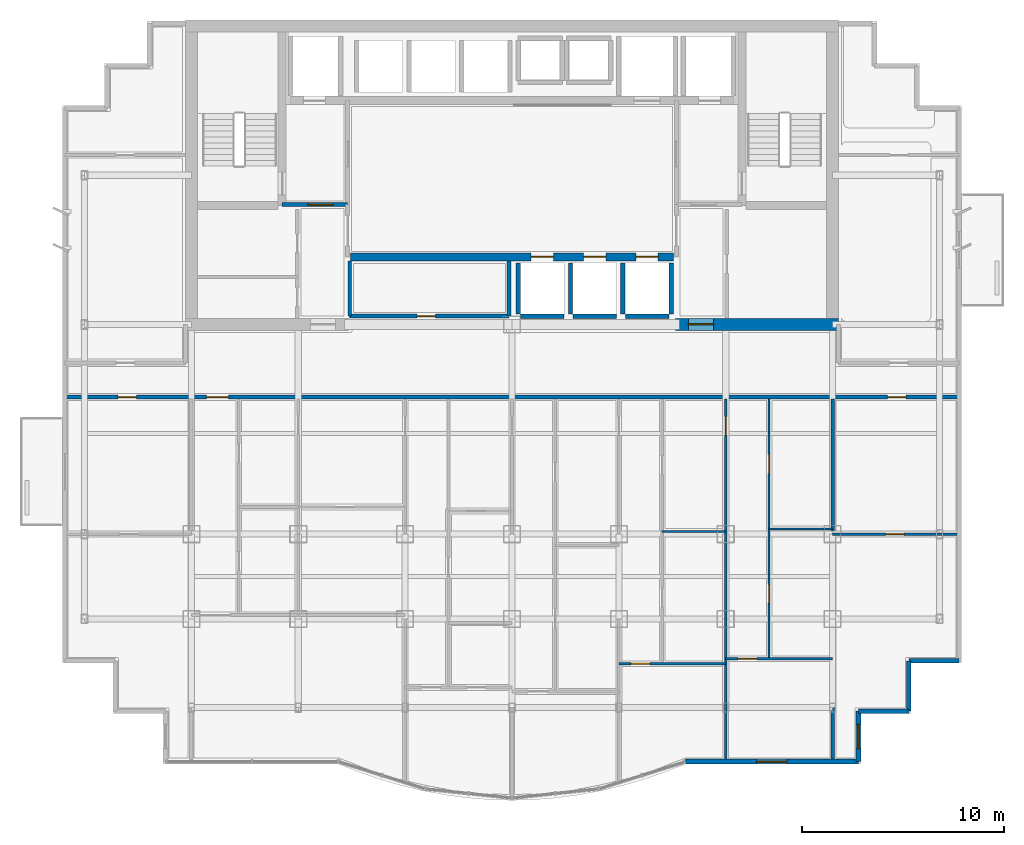
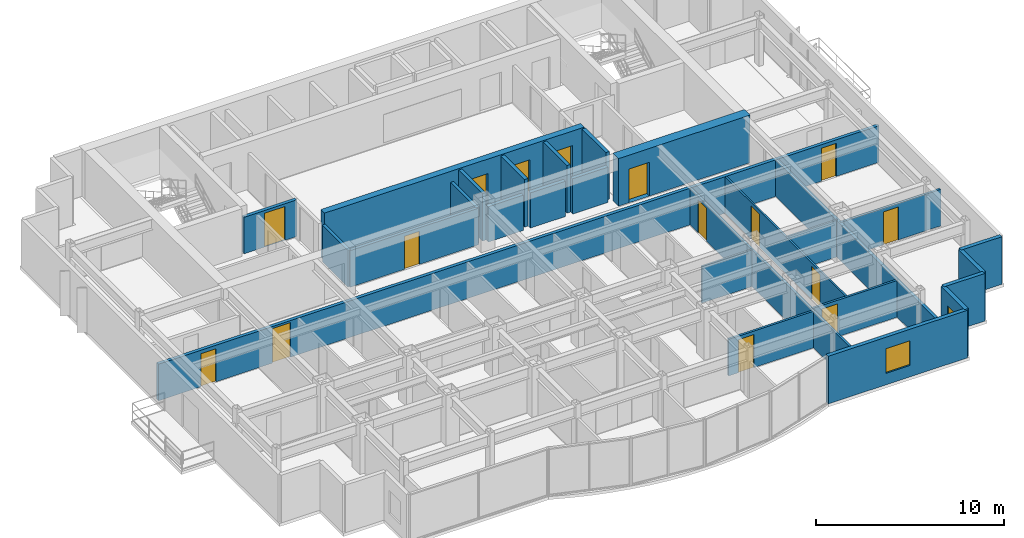
# One storey, part 7 of 11: 27 walls, 15 doors, 2 windows, 17 openings.
"""IFC4 building model written with IfcOpenShell, lengths in metres."""

from ifc_helpers import new_model, si_unit, direction, frame, frame_2d, origin, place, context, subcontext, project, spatial, rectangle, extrude, material, layer, layer_set, type_object, element, fill, save


model = new_model("IFC4")

# Units and contexts
model_context = context("Model", 3, precision=1e-05, world=origin(), true_north=direction((0.0, 1.0)))
body_context = subcontext(model_context, "Body", "Model", "MODEL_VIEW")
ifc_project = project(units=[si_unit("LENGTHUNIT", "METRE"), si_unit("AREAUNIT", "SQUARE_METRE"), si_unit("VOLUMEUNIT", "CUBIC_METRE"), si_unit("PLANEANGLEUNIT", "RADIAN"), si_unit("MASSUNIT", "GRAM", prefix="KILO")], contexts=[model_context])

# Site, building, storey
site_placement = place(None, origin())
site = spatial("IfcSite", under=ifc_project, at=site_placement, CompositionType="ELEMENT")
building_placement = place(site_placement, origin())
building = spatial("IfcBuilding", under=site, at=building_placement, Name="Qianlan Lanfeng Residences", CompositionType="ELEMENT")
storey_placement = place(building_placement, frame((0.0, 0.0, 175.5)))
storey = spatial("IfcBuildingStorey", under=building, at=storey_placement, Name="L48", CompositionType="ELEMENT", Elevation=175.5)

# Wall, openings, doors
ifc_material_1 = material(Name="Concrete C56", Category="concrete")
ifc_layer_1 = layer(ifc_material_1, 0.39990234375)
ifc_layer_set_1 = layer_set([ifc_layer_1], Name="Concrete C56")
wall_type_1 = type_object("IfcWallType", Name="CW-RC-400", PredefinedType="SHEAR", material=ifc_layer_set_1)
wall_1_placement = place(storey_placement, frame((18.5, 28.550048828125, 0.0), z_axis=(0.0, 0.0, 1.0), x_axis=(1.0, 0.0, 0.0)))
wall_1 = element("IfcWall", 1, at=wall_1_placement, inside=storey, type_object=wall_type_1, Name="L48 Core Shear Wall LBS", PredefinedType="SHEAR", context=body_context, shape_type="SweptSolid", body=[
    extrude(rectangle(XDim=16.0, YDim=0.39990234375, at=frame_2d((8.0, 0.0))), origin(), (0.0, 0.0, 1.0), 3.10009765625),
])
opening_1_placement = place(wall_1_placement, frame((8.949951171875, 0.0, 0.0)))
opening_1 = element("IfcOpeningElement", 2, at=opening_1_placement, cuts=wall_1, Name="Opening L48-LD-PL-M1", PredefinedType="OPENING", context=body_context, shape_type="SweptSolid", body=[
    extrude(rectangle(XDim=1.10009765625, YDim=2.14990234375, at=frame_2d((0.550048828125, 1.074951171875))), frame((0.0, 0.2099609375, 0.0), z_axis=(0.0, -1.0, 0.0), x_axis=(1.0, 0.0, 0.0)), (0.0, 0.0, 1.0), 0.419921875),
])
opening_2_placement = place(wall_1_placement, frame((11.550048828125, 0.0, 0.0)))
opening_2 = element("IfcOpeningElement", 3, at=opening_2_placement, cuts=wall_1, Name="Opening L48-LD-PL-M2", PredefinedType="OPENING", context=body_context, shape_type="SweptSolid", body=[
    extrude(rectangle(XDim=1.10009765625, YDim=2.14990234375, at=frame_2d((0.550048828125, 1.074951171875))), frame((0.0, 0.2099609375, 0.0), z_axis=(0.0, -1.0, 0.0), x_axis=(1.0, 0.0, 0.0)), (0.0, 0.0, 1.0), 0.419921875),
])
opening_3_placement = place(wall_1_placement, frame((14.14990234375, 0.0, 0.0)))
opening_3 = element("IfcOpeningElement", 4, at=opening_3_placement, cuts=wall_1, Name="Opening L48-LD-PL-M3", PredefinedType="OPENING", context=body_context, shape_type="SweptSolid", body=[
    extrude(rectangle(XDim=1.10009765625, YDim=2.14990234375, at=frame_2d((0.550048828125, 1.074951171875))), frame((0.0, 0.2099609375, 0.0), z_axis=(0.0, -1.0, 0.0), x_axis=(1.0, 0.0, 0.0)), (0.0, 0.0, 1.0), 0.419921875),
])
ifc_material_2 = material(Name="Brushed Stainless Steel Sliding Lift Door", Category="steel")
door_type_1 = type_object("IfcDoorType", Name="LD-01", OperationType="NOTDEFINED", PredefinedType="DOOR", material=ifc_material_2)
door_1_placement = place(opening_1_placement, origin())
door_1 = element("IfcDoor", 5, at=door_1_placement, inside=storey, type_object=door_type_1, Name="L48 Elevator PL-M1 Sliding Landing Door", OperationType="DOUBLE_DOOR_SLIDING", OverallHeight=2.14990234375, OverallWidth=1.10009765625, PredefinedType="DOOR", context=body_context, shape_type="SweptSolid", body=[
    extrude(rectangle(XDim=1.10009765625, YDim=2.14990234375, at=frame_2d((0.550048828125, 1.074951171875))), frame((0.0, 0.02490234375, 0.0), z_axis=(0.0, -1.0, 0.0), x_axis=(1.0, 0.0, 0.0)), (0.0, 0.0, 1.0), 0.050048828125),
])
fill(opening_1, door_1)
door_2_placement = place(opening_2_placement, origin())
door_2 = element("IfcDoor", 6, at=door_2_placement, inside=storey, type_object=door_type_1, Name="L48 Elevator PL-M2 Sliding Landing Door", OperationType="DOUBLE_DOOR_SLIDING", OverallHeight=2.14990234375, OverallWidth=1.10009765625, PredefinedType="DOOR", context=body_context, shape_type="SweptSolid", body=[
    extrude(rectangle(XDim=1.10009765625, YDim=2.14990234375, at=frame_2d((0.550048828125, 1.074951171875))), frame((0.0, 0.02490234375, 0.0), z_axis=(0.0, -1.0, 0.0), x_axis=(1.0, 0.0, 0.0)), (0.0, 0.0, 1.0), 0.050048828125),
])
fill(opening_2, door_2)
door_3_placement = place(opening_3_placement, origin())
door_3 = element("IfcDoor", 7, at=door_3_placement, inside=storey, type_object=door_type_1, Name="L48 Elevator PL-M3 Sliding Landing Door", OperationType="DOUBLE_DOOR_SLIDING", OverallHeight=2.14990234375, OverallWidth=1.10009765625, PredefinedType="DOOR", context=body_context, shape_type="SweptSolid", body=[
    extrude(rectangle(XDim=1.10009765625, YDim=2.14990234375, at=frame_2d((0.550048828125, 1.074951171875))), frame((0.0, 0.02490234375, 0.0), z_axis=(0.0, -1.0, 0.0), x_axis=(1.0, 0.0, 0.0)), (0.0, 0.0, 1.0), 0.050048828125),
])
fill(opening_3, door_3)

# Wall, opening, door
ifc_layer_2 = layer(ifc_material_1, 0.60009765625)
ifc_layer_set_2 = layer_set([ifc_layer_2], Name="Concrete C56")
wall_type_2 = type_object("IfcWallType", Name="CW-RC-600", PredefinedType="SHEAR", material=ifc_layer_set_2)
wall_2_placement = place(storey_placement, frame((34.60009765625, 25.199951171875, 0.0), z_axis=(0.0, 0.0, 1.0), x_axis=(1.0, 0.0, 0.0)))
wall_2 = element("IfcWall", 8, at=wall_2_placement, inside=storey, type_object=wall_type_2, Name="L48 Core Shear Wall SE", PredefinedType="SHEAR", context=body_context, shape_type="SweptSolid", body=[
    extrude(rectangle(XDim=8.099853515625, YDim=0.60009765625, at=frame_2d((4.0498046875, 0.0))), origin(), (0.0, 0.0, 1.0), 3.10009765625),
])
opening_4_placement = place(wall_2_placement, frame((0.64990234375, 0.0, 0.0)))
opening_4 = element("IfcOpeningElement", 9, at=opening_4_placement, cuts=wall_2, Name="Opening L48-D02", PredefinedType="OPENING", context=body_context, shape_type="SweptSolid", body=[
    extrude(rectangle(XDim=1.25, YDim=2.199951171875, at=frame_2d((0.625, 1.10009765625))), frame((0.0, 0.31005859375, 0.0), z_axis=(0.0, -1.0, 0.0), x_axis=(1.0, 0.0, 0.0)), (0.0, 0.0, 1.0), 0.6201171875),
])
ifc_material_3 = material(Name="Painted Galvanised Steel Fire Door", Category="steel")
door_type_2 = type_object("IfcDoorType", Name="DT-FFL", OperationType="NOTDEFINED", PredefinedType="DOOR", material=ifc_material_3)
door_4_placement = place(opening_4_placement, frame((1.25, 0.0, 0.0), z_axis=(0.0, 0.0, 1.0), x_axis=(-1.0, 0.0, 0.0)))
door_4 = element("IfcDoor", 10, at=door_4_placement, inside=storey, type_object=door_type_2, Name="L48 East Core Lobby Smoke Door L48-D02 (DT-FFL)", OperationType="SINGLE_SWING_LEFT", OverallHeight=2.199951171875, OverallWidth=1.25, PredefinedType="DOOR", context=body_context, shape_type="SweptSolid", body=[
    extrude(rectangle(XDim=1.25, YDim=2.199951171875, at=frame_2d((0.625, 1.10009765625))), frame((0.0, 0.02490234375, 0.0), z_axis=(0.0, -1.0, 0.0), x_axis=(1.0, 0.0, 0.0)), (0.0, 0.0, 1.0), 0.050048828125),
])
fill(opening_4, door_4)

# Wall, opening, window
ifc_material_4 = material(Name="Concrete C42", Category="concrete")
ifc_layer_3 = layer(ifc_material_4, 0.239990234375)
ifc_layer_set_3 = layer_set([ifc_layer_3], Name="Concrete C42")
wall_type_3 = type_object("IfcWallType", Name="EW-240", PredefinedType="SOLIDWALL", material=ifc_layer_set_3)
wall_3_placement = place(storey_placement, frame((35.096923828125, 3.52001953125, 0.0), z_axis=(0.0, 0.0, 1.0), x_axis=(1.0, 0.0, 0.0)))
wall_3 = element("IfcWall", 11, at=wall_3_placement, inside=storey, type_object=wall_type_3, Name="L48 Exterior Facade Spandrel Wall 5", PredefinedType="SOLIDWALL", context=body_context, shape_type="SweptSolid", body=[
    extrude(rectangle(XDim=8.5830078125, YDim=0.239990234375, at=frame_2d((4.29150390625, 0.0))), origin(), (0.0, 0.0, 1.0), 3.10009765625),
])
opening_5_placement = place(wall_3_placement, frame((3.541015625, 0.0, 0.75)))
opening_5 = element("IfcOpeningElement", 12, at=opening_5_placement, cuts=wall_3, Name="Opening W-02", PredefinedType="OPENING", context=body_context, shape_type="SweptSolid", body=[
    extrude(rectangle(XDim=1.5, YDim=1.60009765625, at=frame_2d((0.75, 0.800048828125))), frame((0.0, 0.1298828125, 0.0), z_axis=(0.0, -1.0, 0.0), x_axis=(1.0, 0.0, 0.0)), (0.0, 0.0, 1.0), 0.260009765625),
])
ifc_material_5 = material(Name="Anodised Bronze Aluminium Framed Double Glazing", Category="aluminium")
window_type_1 = type_object("IfcWindowType", Name="W-02", PartitioningType="SINGLE_PANEL", PredefinedType="WINDOW", material=ifc_material_5)
window_1_placement = place(opening_5_placement, origin())
window_1 = element("IfcWindow", 13, at=window_1_placement, inside=storey, type_object=window_type_1, Name="L48 Facade Punched Window W-02", OverallHeight=1.60009765625, OverallWidth=1.5, PartitioningType="SINGLE_PANEL", PredefinedType="WINDOW", context=body_context, shape_type="SweptSolid", body=[
    extrude(rectangle(XDim=1.5, YDim=1.60009765625, at=frame_2d((0.75, 0.800048828125))), frame((0.0, 0.030029296875, 0.0), z_axis=(0.0, -1.0, 0.0), x_axis=(1.0, 0.0, 0.0)), (0.0, 0.0, 1.0), 0.06005859375),
])
fill(opening_5, window_1)

wall_4_placement = place(storey_placement, frame((43.679931640625, 3.52001953125, 0.0), z_axis=(0.0, 0.0, 1.0), x_axis=(0.0, 1.0, 0.0)))
wall_4 = element("IfcWall", 14, at=wall_4_placement, inside=storey, type_object=wall_type_3, Name="L48 Exterior Facade Spandrel Wall 6", PredefinedType="SOLIDWALL", context=body_context, shape_type="SweptSolid", body=[
    extrude(rectangle(XDim=2.5, YDim=0.239990234375, at=frame_2d((1.25, 0.0))), origin(), (0.0, 0.0, 1.0), 3.10009765625),
])
opening_6_placement = place(wall_4_placement, frame((0.64990234375, 0.0, 0.75)))
opening_6 = element("IfcOpeningElement", 15, at=opening_6_placement, cuts=wall_4, Name="Opening W-03", PredefinedType="OPENING", context=body_context, shape_type="SweptSolid", body=[
    extrude(rectangle(XDim=1.199951171875, YDim=1.5, at=frame_2d((0.60009765625, 0.75))), frame((0.0, 0.1298828125, 0.0), z_axis=(0.0, -1.0, 0.0), x_axis=(1.0, 0.0, 0.0)), (0.0, 0.0, 1.0), 0.260009765625),
])
window_type_2 = type_object("IfcWindowType", Name="W-03", PartitioningType="SINGLE_PANEL", PredefinedType="WINDOW", material=ifc_material_5)
window_2_placement = place(opening_6_placement, origin())
window_2 = element("IfcWindow", 16, at=window_2_placement, inside=storey, type_object=window_type_2, Name="L48 Facade Punched Window W-03", OverallHeight=1.5, OverallWidth=1.199951171875, PartitioningType="SINGLE_PANEL", PredefinedType="WINDOW", context=body_context, shape_type="SweptSolid", body=[
    extrude(rectangle(XDim=1.199951171875, YDim=1.5, at=frame_2d((0.60009765625, 0.75))), frame((0.0, 0.030029296875, 0.0), z_axis=(0.0, -1.0, 0.0), x_axis=(1.0, 0.0, 0.0)), (0.0, 0.0, 1.0), 0.06005859375),
])
fill(opening_6, window_2)

# Walls
for number, where, z_axis, x_axis, name in (
    (17, (43.679931640625, 6.02001953125, 0.0), (0.0, 0.0, 1.0), (1.0, 0.0, 0.0), "L48 Exterior Facade Spandrel Wall 7"),
    (18, (46.179931640625, 6.02001953125, 0.0), (0.0, 0.0, 1.0), (0.0, 1.0, 0.0), "L48 Exterior Facade Spandrel Wall 8"),
    (19, (46.179931640625, 8.52001953125, 0.0), (0.0, 0.0, 1.0), (1.0, 0.0, 0.0), "L48 Exterior Facade Spandrel Wall 9"),
):
    element("IfcWall", number, at=place(storey_placement, frame(where, z_axis=z_axis, x_axis=x_axis)), inside=storey, type_object=wall_type_3, Name=name, PredefinedType="SOLIDWALL", context=body_context, shape_type="SweptSolid", body=[
        extrude(rectangle(XDim=2.5, YDim=0.239990234375, at=frame_2d((1.25, 0.0))), origin(), (0.0, 0.0, 1.0), 3.10009765625),
    ])
ifc_material_6 = material(Name="Demountable Acoustic Framing Partition 110 mm")
ifc_layer_4 = layer(ifc_material_6, 0.110107421875)
ifc_layer_set_4 = layer_set([ifc_layer_4], Name="Demountable Acoustic Framing Partition 110 mm")
wall_type_4 = type_object("IfcWallType", Name="PW-110", PredefinedType="MOVABLE", material=ifc_layer_set_4)
wall_5_placement = place(storey_placement, frame((33.949951171875, 14.93701171875, 0.0), z_axis=(0.0, 0.0, 1.0), x_axis=(1.0, 0.0, 0.0)))
element("IfcWall", 20, at=wall_5_placement, inside=storey, type_object=wall_type_4, Name="L48 U01 Specialty Split Wall", PredefinedType="MOVABLE", context=body_context, shape_type="SweptSolid", body=[
    extrude(rectangle(XDim=3.150146484375, YDim=0.110107421875, at=frame_2d((1.5751953125, 0.0))), origin(), (0.0, 0.0, 1.0), 2.3798828125),
])

# Wall, openings, doors
wall_6_placement = place(storey_placement, frame((39.25, 8.6201171875, 0.0), z_axis=(0.0, 0.0, 1.0), x_axis=(0.0, 1.0, 0.0)))
wall_6 = element("IfcWall", 21, at=wall_6_placement, inside=storey, type_object=wall_type_4, Name="L48 U01 Bedroom 5 Hall Wall", PredefinedType="MOVABLE", context=body_context, shape_type="SweptSolid", body=[
    extrude(rectangle(XDim=12.8798828125, YDim=0.110107421875, at=frame_2d((6.43994140625, 0.0))), origin(), (0.0, 0.0, 1.0), 2.3798828125),
])
opening_7_placement = place(wall_6_placement, frame((2.760009765625, 0.0, 0.0)))
opening_7 = element("IfcOpeningElement", 22, at=opening_7_placement, cuts=wall_6, Name="Opening L48-D36", PredefinedType="OPENING", context=body_context, shape_type="SweptSolid", body=[
    extrude(rectangle(XDim=0.919921875, YDim=2.14990234375, at=frame_2d((0.4599609375, 1.074951171875))), frame((0.0, 0.06494140625, 0.0), z_axis=(0.0, -1.0, 0.0), x_axis=(1.0, 0.0, 0.0)), (0.0, 0.0, 1.0), 0.130126953125),
])
opening_8_placement = place(wall_6_placement, frame((9.199951171875, 0.0, 0.0)))
opening_8 = element("IfcOpeningElement", 23, at=opening_8_placement, cuts=wall_6, Name="Opening L48-D37", PredefinedType="OPENING", context=body_context, shape_type="SweptSolid", body=[
    extrude(rectangle(XDim=0.919921875, YDim=2.14990234375, at=frame_2d((0.4599609375, 1.074951171875))), frame((0.0, 0.06494140625, 0.0), z_axis=(0.0, -1.0, 0.0), x_axis=(1.0, 0.0, 0.0)), (0.0, 0.0, 1.0), 0.130126953125),
])
ifc_material_7 = material(Name="Glazed Timber Kitchen/Study Door", Category="wood")
door_type_3 = type_object("IfcDoorType", Name="DT-INT", OperationType="NOTDEFINED", PredefinedType="DOOR", material=ifc_material_7)
door_5_placement = place(opening_7_placement, origin())
door_5 = element("IfcDoor", 24, at=door_5_placement, inside=storey, type_object=door_type_3, Name="L48 U01 Utility Door L48-D36 (DT-INT)", OperationType="SINGLE_SWING_LEFT", OverallHeight=2.14990234375, OverallWidth=0.919921875, PredefinedType="DOOR", context=body_context, shape_type="SweptSolid", body=[
    extrude(rectangle(XDim=0.919921875, YDim=2.14990234375, at=frame_2d((0.4599609375, 1.074951171875))), frame((0.0, 0.02490234375, 0.0), z_axis=(0.0, -1.0, 0.0), x_axis=(1.0, 0.0, 0.0)), (0.0, 0.0, 1.0), 0.050048828125),
])
fill(opening_7, door_5)
door_6_placement = place(opening_8_placement, origin())
door_6 = element("IfcDoor", 25, at=door_6_placement, inside=storey, type_object=door_type_3, Name="L48 U01 Specialty Door L48-D37 (DT-INT)", OperationType="SINGLE_SWING_RIGHT", OverallHeight=2.14990234375, OverallWidth=0.919921875, PredefinedType="DOOR", context=body_context, shape_type="SweptSolid", body=[
    extrude(rectangle(XDim=0.919921875, YDim=2.14990234375, at=frame_2d((0.4599609375, 1.074951171875))), frame((0.0, 0.02490234375, 0.0), z_axis=(0.0, -1.0, 0.0), x_axis=(1.0, 0.0, 0.0)), (0.0, 0.0, 1.0), 0.050048828125),
])
fill(opening_8, door_6)

# Wall
wall_7_placement = place(storey_placement, frame((39.25, 15.06005859375, 0.0), z_axis=(0.0, 0.0, 1.0), x_axis=(1.0, 0.0, 0.0)))
element("IfcWall", 26, at=wall_7_placement, inside=storey, type_object=wall_type_4, Name="L48 U01 Specialty Split Wall", PredefinedType="MOVABLE", context=body_context, shape_type="SweptSolid", body=[
    extrude(rectangle(XDim=3.14990234375, YDim=0.110107421875, at=frame_2d((1.574951171875, 0.0))), origin(), (0.0, 0.0, 1.0), 2.3798828125),
])

# Wall, opening, door
ifc_material_8 = material(Name="Moisture-Resistant Gypsum Partition 135 mm")
ifc_layer_5 = layer(ifc_material_8, 0.135009765625)
ifc_layer_set_5 = layer_set([ifc_layer_5], Name="Moisture-Resistant Gypsum Partition 135 mm")
wall_type_5 = type_object("IfcWallType", Name="PW-135", PredefinedType="PARTITIONING", material=ifc_layer_set_5)
wall_8_placement = place(storey_placement, frame((37.10009765625, 3.6201171875, 0.0), z_axis=(0.0, 0.0, 1.0), x_axis=(0.0, 1.0, 0.0)))
wall_8 = element("IfcWall", 27, at=wall_8_placement, inside=storey, type_object=wall_type_5, Name="L48 U01 Bay Spine Wall 5", PredefinedType="PARTITIONING", context=body_context, shape_type="SweptSolid", body=[
    extrude(rectangle(XDim=17.8798828125, YDim=0.135009765625, at=frame_2d((8.93994140625, 0.0))), origin(), (0.0, 0.0, 1.0), 2.3798828125),
])
opening_9_placement = place(wall_8_placement, frame((16.094970703125, 0.0, 0.0)))
opening_9 = element("IfcOpeningElement", 28, at=opening_9_placement, cuts=wall_8, Name="Opening L48-D20", PredefinedType="OPENING", context=body_context, shape_type="SweptSolid", body=[
    extrude(rectangle(XDim=0.919921875, YDim=2.14990234375, at=frame_2d((0.4599609375, 1.074951171875))), frame((0.0, 0.07763671875, 0.0), z_axis=(0.0, -1.0, 0.0), x_axis=(1.0, 0.0, 0.0)), (0.0, 0.0, 1.0), 0.155029296875),
])
door_7_placement = place(opening_9_placement, origin())
door_7 = element("IfcDoor", 29, at=door_7_placement, inside=storey, type_object=door_type_3, Name="L48 U01 Internal Hall Door L48-D20 (DT-INT)", OperationType="SINGLE_SWING_LEFT", OverallHeight=2.14990234375, OverallWidth=0.919921875, PredefinedType="DOOR", context=body_context, shape_type="SweptSolid", body=[
    extrude(rectangle(XDim=0.919921875, YDim=2.14990234375, at=frame_2d((0.4599609375, 1.074951171875))), frame((0.0, 0.02490234375, 0.0), z_axis=(0.0, -1.0, 0.0), x_axis=(1.0, 0.0, 0.0)), (0.0, 0.0, 1.0), 0.050048828125),
])
fill(opening_9, door_7)

wall_9_placement = place(storey_placement, frame((31.800048828125, 8.3740234375, 0.0), z_axis=(0.0, 0.0, 1.0), x_axis=(1.0, 0.0, 0.0)))
wall_9 = element("IfcWall", 30, at=wall_9_placement, inside=storey, type_object=wall_type_5, Name="L48 U01 Bedroom 4 North Wall", PredefinedType="PARTITIONING", context=body_context, shape_type="SweptSolid", body=[
    extrude(rectangle(XDim=5.300048828125, YDim=0.135009765625, at=frame_2d((2.64990234375, 0.0))), origin(), (0.0, 0.0, 1.0), 2.3798828125),
])
opening_10_placement = place(wall_9_placement, frame((0.60009765625, 0.0, 0.0)))
opening_10 = element("IfcOpeningElement", 31, at=opening_10_placement, cuts=wall_9, Name="Opening L48-D32", PredefinedType="OPENING", context=body_context, shape_type="SweptSolid", body=[
    extrude(rectangle(XDim=0.949951171875, YDim=2.14990234375, at=frame_2d((0.47509765625, 1.074951171875))), frame((0.0, 0.07763671875, 0.0), z_axis=(0.0, -1.0, 0.0), x_axis=(1.0, 0.0, 0.0)), (0.0, 0.0, 1.0), 0.155029296875),
])
ifc_material_9 = material(Name="Painted Solid-Core Timber Leaf", Category="wood")
door_type_4 = type_object("IfcDoorType", Name="DT-BED", OperationType="NOTDEFINED", PredefinedType="DOOR", material=ifc_material_9)
door_8_placement = place(opening_10_placement, frame((0.949951171875, 0.0, 0.0), z_axis=(0.0, 0.0, 1.0), x_axis=(-1.0, 0.0, 0.0)))
door_8 = element("IfcDoor", 32, at=door_8_placement, inside=storey, type_object=door_type_4, Name="L48 U01 Bedroom 4 Door L48-D32 (DT-BED)", OperationType="SINGLE_SWING_RIGHT", OverallHeight=2.14990234375, OverallWidth=0.949951171875, PredefinedType="DOOR", context=body_context, shape_type="SweptSolid", body=[
    extrude(rectangle(XDim=0.949951171875, YDim=2.14990234375, at=frame_2d((0.47509765625, 1.074951171875))), frame((0.0, 0.02490234375, 0.0), z_axis=(0.0, -1.0, 0.0), x_axis=(1.0, 0.0, 0.0)), (0.0, 0.0, 1.0), 0.050048828125),
])
fill(opening_10, door_8)

wall_10_placement = place(storey_placement, frame((37.10009765625, 8.6201171875, 0.0), z_axis=(0.0, 0.0, 1.0), x_axis=(1.0, 0.0, 0.0)))
wall_10 = element("IfcWall", 33, at=wall_10_placement, inside=storey, type_object=wall_type_5, Name="L48 U01 Bedroom 5 North Wall", PredefinedType="PARTITIONING", context=body_context, shape_type="SweptSolid", body=[
    extrude(rectangle(XDim=5.2998046875, YDim=0.135009765625, at=frame_2d((2.64990234375, 0.0))), origin(), (0.0, 0.0, 1.0), 2.3798828125),
])
opening_11_placement = place(wall_10_placement, frame((0.60009765625, 0.0, 0.0)))
opening_11 = element("IfcOpeningElement", 34, at=opening_11_placement, cuts=wall_10, Name="Opening L48-D35", PredefinedType="OPENING", context=body_context, shape_type="SweptSolid", body=[
    extrude(rectangle(XDim=0.949951171875, YDim=2.14990234375, at=frame_2d((0.47509765625, 1.074951171875))), frame((0.0, 0.07763671875, 0.0), z_axis=(0.0, -1.0, 0.0), x_axis=(1.0, 0.0, 0.0)), (0.0, 0.0, 1.0), 0.155029296875),
])
door_9_placement = place(opening_11_placement, frame((0.949951171875, 0.0, 0.0), z_axis=(0.0, 0.0, 1.0), x_axis=(-1.0, 0.0, 0.0)))
door_9 = element("IfcDoor", 35, at=door_9_placement, inside=storey, type_object=door_type_4, Name="L48 U01 Bedroom 5 Door L48-D35 (DT-BED)", OperationType="SINGLE_SWING_RIGHT", OverallHeight=2.14990234375, OverallWidth=0.949951171875, PredefinedType="DOOR", context=body_context, shape_type="SweptSolid", body=[
    extrude(rectangle(XDim=0.949951171875, YDim=2.14990234375, at=frame_2d((0.47509765625, 1.074951171875))), frame((0.0, 0.02490234375, 0.0), z_axis=(0.0, -1.0, 0.0), x_axis=(1.0, 0.0, 0.0)), (0.0, 0.0, 1.0), 0.050048828125),
])
fill(opening_11, door_9)

wall_11_placement = place(storey_placement, frame((42.39990234375, 14.800048828125, 0.0), z_axis=(0.0, 0.0, 1.0), x_axis=(1.0, 0.0, 0.0)))
wall_11 = element("IfcWall", 36, at=wall_11_placement, inside=storey, type_object=wall_type_5, Name="L48 SEP Mid Partition", PredefinedType="PARTITIONING", context=body_context, shape_type="SweptSolid", body=[
    extrude(rectangle(XDim=6.18017578125, YDim=0.135009765625, at=frame_2d((3.090087890625, 0.0))), origin(), (0.0, 0.0, 1.0), 2.3798828125),
])
opening_12_placement = place(wall_11_placement, frame((2.6298828125, 0.0, 0.0)))
opening_12 = element("IfcOpeningElement", 37, at=opening_12_placement, cuts=wall_11, Name="Opening L48-D40", PredefinedType="OPENING", context=body_context, shape_type="SweptSolid", body=[
    extrude(rectangle(XDim=0.919921875, YDim=2.14990234375, at=frame_2d((0.4599609375, 1.074951171875))), frame((0.0, 0.07763671875, 0.0), z_axis=(0.0, -1.0, 0.0), x_axis=(1.0, 0.0, 0.0)), (0.0, 0.0, 1.0), 0.155029296875),
])
door_10_placement = place(opening_12_placement, origin())
door_10 = element("IfcDoor", 38, at=door_10_placement, inside=storey, type_object=door_type_3, Name="L48 SEP Inner Door L48-D40 (DT-INT)", OperationType="SINGLE_SWING_LEFT", OverallHeight=2.14990234375, OverallWidth=0.919921875, PredefinedType="DOOR", context=body_context, shape_type="SweptSolid", body=[
    extrude(rectangle(XDim=0.919921875, YDim=2.14990234375, at=frame_2d((0.4599609375, 1.074951171875))), frame((0.0, 0.02490234375, 0.0), z_axis=(0.0, -1.0, 0.0), x_axis=(1.0, 0.0, 0.0)), (0.0, 0.0, 1.0), 0.050048828125),
])
fill(opening_12, door_10)

# Walls
ifc_material_10 = material(Name="Double-Layer Acoustic Gypsum Stud Wall 180 mm")
ifc_layer_6 = layer(ifc_material_10, 0.179931640625)
ifc_layer_set_6 = layer_set([ifc_layer_6], Name="Double-Layer Acoustic Gypsum Stud Wall 180 mm")
wall_type_6 = type_object("IfcWallType", Name="PW-180", PredefinedType="PARTITIONING", material=ifc_layer_set_6)
for number, where, z_axis, x_axis, name in (
    (39, (18.449951171875, 25.6201171875, 0.0), (0.0, 0.0, 1.0), (0.0, 1.0, 0.0), "L48 Reclaimed Low-Bank Room West Wall"),
    (40, (26.35009765625, 25.6201171875, 0.0), (0.0, 0.0, 1.0), (0.0, 1.0, 0.0), "L48 Reclaimed Low-Bank Room East Wall"),
):
    element("IfcWall", number, at=place(storey_placement, frame(where, z_axis=z_axis, x_axis=x_axis)), inside=storey, type_object=wall_type_6, Name=name, PredefinedType="PARTITIONING", context=body_context, shape_type="SweptSolid", body=[
        extrude(rectangle(XDim=2.72998046875, YDim=0.179931640625, at=frame_2d((1.364990234375, 0.0))), origin(), (0.0, 0.0, 1.0), 2.3798828125),
    ])

# Wall, opening, door
wall_12_placement = place(storey_placement, frame((18.449951171875, 25.6201171875, 0.0), z_axis=(0.0, 0.0, 1.0), x_axis=(1.0, 0.0, 0.0)))
wall_12 = element("IfcWall", 41, at=wall_12_placement, inside=storey, type_object=wall_type_6, Name="L48 Reclaimed Low-Bank Room South Wall", PredefinedType="PARTITIONING", context=body_context, shape_type="SweptSolid", body=[
    extrude(rectangle(XDim=7.900146484375, YDim=0.179931640625, at=frame_2d((3.9501953125, 0.0))), origin(), (0.0, 0.0, 1.0), 2.3798828125),
])
opening_13_placement = place(wall_12_placement, frame((3.340087890625, 0.0, 0.0)))
opening_13 = element("IfcOpeningElement", 42, at=opening_13_placement, cuts=wall_12, Name="Opening L48-D14", PredefinedType="OPENING", context=body_context, shape_type="SweptSolid", body=[
    extrude(rectangle(XDim=0.919921875, YDim=2.14990234375, at=frame_2d((0.4599609375, 1.074951171875))), frame((0.0, 0.10009765625, 0.0), z_axis=(0.0, -1.0, 0.0), x_axis=(1.0, 0.0, 0.0)), (0.0, 0.0, 1.0), 0.199951171875),
])
door_11_placement = place(opening_13_placement, origin())
door_11 = element("IfcDoor", 43, at=door_11_placement, inside=storey, type_object=door_type_3, Name="L48 Reclaimed Core Salon Door L48-D14 (DT-INT)", OperationType="SINGLE_SWING_LEFT", OverallHeight=2.14990234375, OverallWidth=0.919921875, PredefinedType="DOOR", context=body_context, shape_type="SweptSolid", body=[
    extrude(rectangle(XDim=0.919921875, YDim=2.14990234375, at=frame_2d((0.4599609375, 1.074951171875))), frame((0.0, 0.02490234375, 0.0), z_axis=(0.0, -1.0, 0.0), x_axis=(1.0, 0.0, 0.0)), (0.0, 0.0, 1.0), 0.050048828125),
])
fill(opening_13, door_11)

# Wall
wall_13_placement = place(storey_placement, frame((42.39990234375, 3.6201171875, 0.0), z_axis=(0.0, 0.0, 1.0), x_axis=(0.0, 1.0, 0.0)))
element("IfcWall", 44, at=wall_13_placement, inside=storey, type_object=wall_type_6, Name="L48 Wing Boundary Party Wall E0", PredefinedType="PARTITIONING", context=body_context, shape_type="SweptSolid", body=[
    extrude(rectangle(XDim=17.8798828125, YDim=0.179931640625, at=frame_2d((8.93994140625, 0.0))), origin(), (0.0, 0.0, 1.0), 2.3798828125),
])

# Wall, opening, door
ifc_material_11 = material(Name="Autoclaved Aerated Concrete Blockwork 200 mm", Category="masonry")
ifc_layer_7 = layer(ifc_material_11, 0.199951171875)
ifc_layer_set_7 = layer_set([ifc_layer_7], Name="Autoclaved Aerated Concrete Blockwork 200 mm")
wall_type_7 = type_object("IfcWallType", Name="PW-200", PredefinedType="PARTITIONING", material=ifc_layer_set_7)
wall_14_placement = place(storey_placement, frame((15.10009765625, 31.14990234375, 0.0), z_axis=(0.0, 0.0, 1.0), x_axis=(1.0, 0.0, 0.0)))
wall_14 = element("IfcWall", 45, at=wall_14_placement, inside=storey, type_object=wall_type_7, Name="L48 Firefighting Lobby 1 South Wall", PredefinedType="PARTITIONING", context=body_context, shape_type="SweptSolid", body=[
    extrude(rectangle(XDim=3.25, YDim=0.199951171875, at=frame_2d((1.625, 0.0))), origin(), (0.0, 0.0, 1.0), 2.3798828125),
])
opening_14_placement = place(wall_14_placement, frame((1.27490234375, 0.0, 0.0)))
opening_14 = element("IfcOpeningElement", 46, at=opening_14_placement, cuts=wall_14, Name="Opening L48-D03", PredefinedType="OPENING", context=body_context, shape_type="SweptSolid", body=[
    extrude(rectangle(XDim=1.25, YDim=2.199951171875, at=frame_2d((0.625, 1.10009765625))), frame((0.0, 0.10986328125, 0.0), z_axis=(0.0, -1.0, 0.0), x_axis=(1.0, 0.0, 0.0)), (0.0, 0.0, 1.0), 0.219970703125),
])
door_12_placement = place(opening_14_placement, origin())
door_12 = element("IfcDoor", 47, at=door_12_placement, inside=storey, type_object=door_type_2, Name="L48 Firefighting Lobby 1 Entry Door L48-D03 (DT-FFL)", OperationType="SINGLE_SWING_LEFT", OverallHeight=2.199951171875, OverallWidth=1.25, PredefinedType="DOOR", context=body_context, shape_type="SweptSolid", body=[
    extrude(rectangle(XDim=1.25, YDim=2.199951171875, at=frame_2d((0.625, 1.10009765625))), frame((0.0, 0.02490234375, 0.0), z_axis=(0.0, -1.0, 0.0), x_axis=(1.0, 0.0, 0.0)), (0.0, 0.0, 1.0), 0.050048828125),
])
fill(opening_14, door_12)

# Wall, openings, doors
wall_15_placement = place(storey_placement, frame((4.320068359375, 21.60009765625, 0.0), z_axis=(0.0, 0.0, 1.0), x_axis=(1.0, 0.0, 0.0)))
wall_15 = element("IfcWall", 48, at=wall_15_placement, inside=storey, type_object=wall_type_7, Name="L48 Residential Corridor South Fire Wall", PredefinedType="PARTITIONING", context=body_context, shape_type="SweptSolid", body=[
    extrude(rectangle(XDim=44.35986328125, YDim=0.199951171875, at=frame_2d((22.179931640625, 0.0))), origin(), (0.0, 0.0, 1.0), 2.3798828125),
])
opening_15_placement = place(wall_15_placement, frame((7.030029296875, 0.0, 0.0)))
opening_15 = element("IfcOpeningElement", 49, at=opening_15_placement, cuts=wall_15, Name="Opening L48-D15", PredefinedType="OPENING", context=body_context, shape_type="SweptSolid", body=[
    extrude(rectangle(XDim=1.10009765625, YDim=2.25, at=frame_2d((0.550048828125, 1.125))), frame((0.0, 0.10986328125, 0.0), z_axis=(0.0, -1.0, 0.0), x_axis=(1.0, 0.0, 0.0)), (0.0, 0.0, 1.0), 0.219970703125),
])
opening_16_placement = place(wall_15_placement, frame((2.635009765625, 0.0, 0.0)))
opening_16 = element("IfcOpeningElement", 50, at=opening_16_placement, cuts=wall_15, Name="Opening L48-D39", PredefinedType="OPENING", context=body_context, shape_type="SweptSolid", body=[
    extrude(rectangle(XDim=0.919921875, YDim=2.14990234375, at=frame_2d((0.4599609375, 1.074951171875))), frame((0.0, 0.10986328125, 0.0), z_axis=(0.0, -1.0, 0.0), x_axis=(1.0, 0.0, 0.0)), (0.0, 0.0, 1.0), 0.219970703125),
])
opening_17_placement = place(wall_15_placement, frame((40.804931640625, 0.0, 0.0)))
opening_17 = element("IfcOpeningElement", 51, at=opening_17_placement, cuts=wall_15, Name="Opening L48-D41", PredefinedType="OPENING", context=body_context, shape_type="SweptSolid", body=[
    extrude(rectangle(XDim=0.919921875, YDim=2.14990234375, at=frame_2d((0.4599609375, 1.074951171875))), frame((0.0, 0.10986328125, 0.0), z_axis=(0.0, -1.0, 0.0), x_axis=(1.0, 0.0, 0.0)), (0.0, 0.0, 1.0), 0.219970703125),
])
door_13_placement = place(opening_16_placement, origin())
door_13 = element("IfcDoor", 52, at=door_13_placement, inside=storey, type_object=door_type_3, Name="L48 SWP Corridor Door L48-D39 (DT-INT)", OperationType="SINGLE_SWING_RIGHT", OverallHeight=2.14990234375, OverallWidth=0.919921875, PredefinedType="DOOR", context=body_context, shape_type="SweptSolid", body=[
    extrude(rectangle(XDim=0.919921875, YDim=2.14990234375, at=frame_2d((0.4599609375, 1.074951171875))), frame((0.0, 0.02490234375, 0.0), z_axis=(0.0, -1.0, 0.0), x_axis=(1.0, 0.0, 0.0)), (0.0, 0.0, 1.0), 0.050048828125),
])
fill(opening_16, door_13)
door_14_placement = place(opening_17_placement, origin())
door_14 = element("IfcDoor", 53, at=door_14_placement, inside=storey, type_object=door_type_3, Name="L48 SEP Corridor Door L48-D41 (DT-INT)", OperationType="SINGLE_SWING_RIGHT", OverallHeight=2.14990234375, OverallWidth=0.919921875, PredefinedType="DOOR", context=body_context, shape_type="SweptSolid", body=[
    extrude(rectangle(XDim=0.919921875, YDim=2.14990234375, at=frame_2d((0.4599609375, 1.074951171875))), frame((0.0, 0.02490234375, 0.0), z_axis=(0.0, -1.0, 0.0), x_axis=(1.0, 0.0, 0.0)), (0.0, 0.0, 1.0), 0.050048828125),
])
fill(opening_17, door_14)
ifc_material_12 = material(Name="Solid-Core Oak Veneer Fire Door")
door_type_5 = type_object("IfcDoorType", Name="DT-UNIT", OperationType="NOTDEFINED", PredefinedType="DOOR", material=ifc_material_12)
door_15_placement = place(opening_15_placement, origin())
door_15 = element("IfcDoor", 54, at=door_15_placement, inside=storey, type_object=door_type_5, Name="L48 Apartment U01 Entrance Door L48-D15 (DT-UNIT)", OperationType="SINGLE_SWING_RIGHT", OverallHeight=2.25, OverallWidth=1.10009765625, PredefinedType="DOOR", context=body_context, shape_type="SweptSolid", body=[
    extrude(rectangle(XDim=1.10009765625, YDim=2.25, at=frame_2d((0.550048828125, 1.125))), frame((0.0, 0.02490234375, 0.0), z_axis=(0.0, -1.0, 0.0), x_axis=(1.0, 0.0, 0.0)), (0.0, 0.0, 1.0), 0.050048828125),
])
fill(opening_15, door_15)

# Walls
ifc_material_13 = material(Name="Concrete C49", Category="concrete")
ifc_layer_8 = layer(ifc_material_13, 0.219970703125)
ifc_layer_set_8 = layer_set([ifc_layer_8], Name="Concrete C49")
wall_type_8 = type_object("IfcWallType", Name="SHW-220", PredefinedType="SOLIDWALL", material=ifc_layer_set_8)
wall_16_placement = place(storey_placement, frame((26.800048828125, 25.719970703125, 0.0), z_axis=(0.0, 0.0, 1.0), x_axis=(0.0, 1.0, 0.0)))
element("IfcWall", 55, at=wall_16_placement, inside=storey, type_object=wall_type_8, Name="L48 Lift PL-M1 Shaft Wall W", PredefinedType="SOLIDWALL", context=body_context, shape_type="SweptSolid", body=[
    extrude(rectangle(XDim=2.530029296875, YDim=0.219970703125, at=frame_2d((1.26513671875, 0.0))), origin(), (0.0, 0.0, 1.0), 3.10009765625),
])
wall_17_placement = place(storey_placement, frame((26.919921875, 25.60009765625, 0.0), z_axis=(0.0, 0.0, 1.0), x_axis=(1.0, 0.0, 0.0)))
element("IfcWall", 56, at=wall_17_placement, inside=storey, type_object=wall_type_8, Name="L48 Lift PL-M1 Shaft Back Wall S", PredefinedType="SOLIDWALL", context=body_context, shape_type="SweptSolid", body=[
    extrude(rectangle(XDim=2.16015625, YDim=0.219970703125, at=frame_2d((1.080078125, 0.0))), origin(), (0.0, 0.0, 1.0), 2.294921875),
])
wall_18_placement = place(storey_placement, frame((29.39990234375, 25.719970703125, 0.0), z_axis=(0.0, 0.0, 1.0), x_axis=(0.0, 1.0, 0.0)))
element("IfcWall", 57, at=wall_18_placement, inside=storey, type_object=wall_type_8, Name="L48 Lift PL-M2 Shaft Wall W", PredefinedType="SOLIDWALL", context=body_context, shape_type="SweptSolid", body=[
    extrude(rectangle(XDim=2.530029296875, YDim=0.219970703125, at=frame_2d((1.26513671875, 0.0))), origin(), (0.0, 0.0, 1.0), 3.10009765625),
])
wall_19_placement = place(storey_placement, frame((29.52001953125, 25.60009765625, 0.0), z_axis=(0.0, 0.0, 1.0), x_axis=(1.0, 0.0, 0.0)))
element("IfcWall", 58, at=wall_19_placement, inside=storey, type_object=wall_type_8, Name="L48 Lift PL-M2 Shaft Back Wall S", PredefinedType="SOLIDWALL", context=body_context, shape_type="SweptSolid", body=[
    extrude(rectangle(XDim=2.159912109375, YDim=0.219970703125, at=frame_2d((1.080078125, 0.0))), origin(), (0.0, 0.0, 1.0), 2.294921875),
])
for number, where, z_axis, x_axis, name in (
    (59, (32.0, 25.719970703125, 0.0), (0.0, 0.0, 1.0), (0.0, 1.0, 0.0), "L48 Lift PL-M3 Shaft Wall W"),
    (60, (34.39990234375, 25.719970703125, 0.0), (0.0, 0.0, 1.0), (0.0, 1.0, 0.0), "L48 Lift PL-M3 Shaft Wall E"),
):
    element("IfcWall", number, at=place(storey_placement, frame(where, z_axis=z_axis, x_axis=x_axis)), inside=storey, type_object=wall_type_8, Name=name, PredefinedType="SOLIDWALL", context=body_context, shape_type="SweptSolid", body=[
        extrude(rectangle(XDim=2.530029296875, YDim=0.219970703125, at=frame_2d((1.26513671875, 0.0))), origin(), (0.0, 0.0, 1.0), 3.10009765625),
    ])
wall_20_placement = place(storey_placement, frame((32.1201171875, 25.60009765625, 0.0), z_axis=(0.0, 0.0, 1.0), x_axis=(1.0, 0.0, 0.0)))
element("IfcWall", 61, at=wall_20_placement, inside=storey, type_object=wall_type_8, Name="L48 Lift PL-M3 Shaft Back Wall S", PredefinedType="SOLIDWALL", context=body_context, shape_type="SweptSolid", body=[
    extrude(rectangle(XDim=2.159912109375, YDim=0.219970703125, at=frame_2d((1.080078125, 0.0))), origin(), (0.0, 0.0, 1.0), 2.294921875),
])

save(model, "model.ifc")
